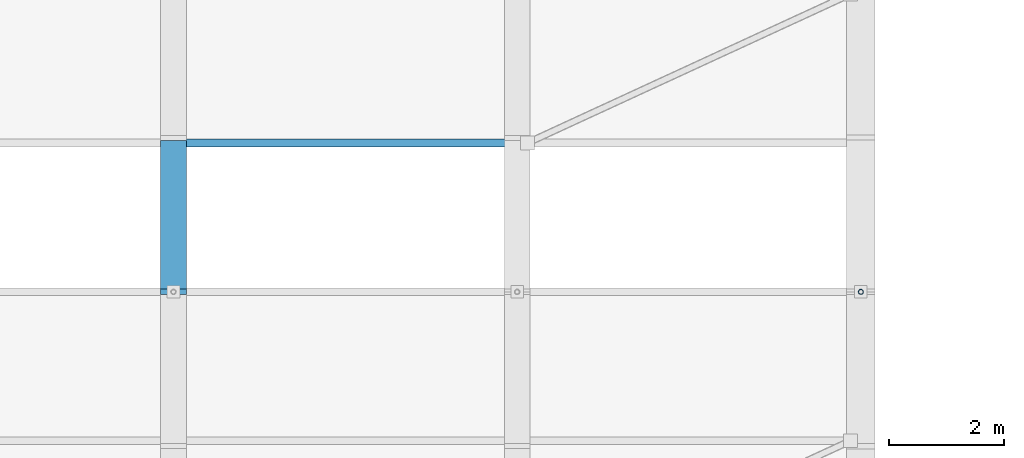
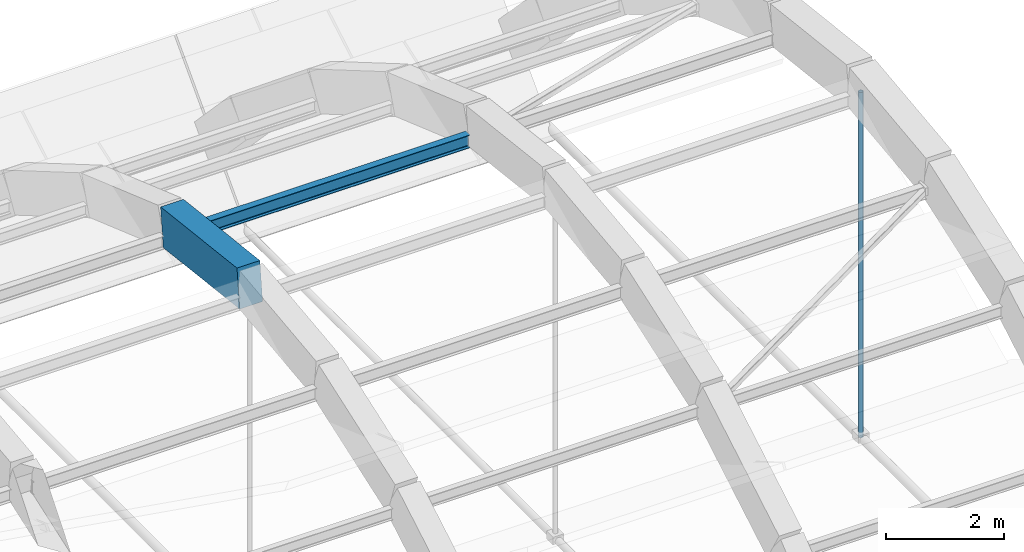
# One storey, part 36 of 123: 2 beams, 1 member.
"""IFC4 building model written with IfcOpenShell, lengths in metres."""

from ifc_helpers import new_model, si_unit, direction, frame, origin, origin_2d, place, context, subcontext, project, spatial, rectangle, hollow_circle, i_section, extrude, material, material_profile, profile_set, type_object, element, save


model = new_model("IFC4")

# Units and contexts
model_context = context("Model", 3, precision=1e-05, world=origin(), true_north=direction((0.0, 1.0)))
body_context = subcontext(model_context, "Body", "Model", "MODEL_VIEW")
ifc_project = project(units=[si_unit("LENGTHUNIT", "METRE"), si_unit("AREAUNIT", "SQUARE_METRE"), si_unit("VOLUMEUNIT", "CUBIC_METRE"), si_unit("PLANEANGLEUNIT", "RADIAN"), si_unit("MASSUNIT", "GRAM", prefix="KILO"), si_unit("POWERUNIT", "WATT"), si_unit("THERMODYNAMICTEMPERATUREUNIT", "KELVIN")], contexts=[model_context])

# Site, building, storey
site_placement = place(None, origin())
site = spatial("IfcSite", under=ifc_project, at=site_placement, CompositionType="ELEMENT")
building_placement = place(site_placement, origin())
building = spatial("IfcBuilding", under=site, at=building_placement, Name="Ruvembo Vaulted Housing Court", CompositionType="ELEMENT")
storey_placement = place(building_placement, frame((0.0, 0.0, 7.699951171875)))
storey = spatial("IfcBuildingStorey", under=building, at=storey_placement, Name="L02", CompositionType="ELEMENT", Elevation=7.699951171875)

# Beams
ifc_material_1 = material(Name="Concrete C35/45", Category="concrete")
ifc_material_profile_1 = material_profile(ifc_material_1, rectangle(XDim=0.449951171875, YDim=0.800048828125, at=origin_2d()), Name="RC 450x800")
ifc_profile_set_1 = profile_set([ifc_material_profile_1], Name="Concrete C35/45")
beam_type_1 = type_object("IfcBeamType", Name="AR-RC-450x800", PredefinedType="BEAM", material=ifc_profile_set_1)
beam_1_placement = place(storey_placement, frame((96.0, 55.0, 6.10009765625), z_axis=(0.0, 0.993236276414, -0.116110719637), x_axis=(-1.0, 0.0, 0.0)))
element("IfcBeam", 1, at=beam_1_placement, inside=storey, type_object=beam_type_1, Name="Community Hall Parabolic Arch Rib AR-06 Seg 6", PredefinedType="BEAM", context=body_context, shape_type="SweptSolid", body=[
    extrude(rectangle(XDim=0.449951171875, YDim=0.800048828125, at=origin_2d()), origin(), (0.0, 0.0, 1.0), 2.617919921875),
])
ifc_material_2 = material(Name="Steel S355J2", Category="steel")
ifc_material_profile_2 = material_profile(ifc_material_2, i_section(OverallWidth=0.135009765625, OverallDepth=0.27001953125, WebThickness=0.006591796875, FlangeThickness=0.01025390625, FilletRadius=0.014892578125, at=origin_2d()), Name="IPE 270")
ifc_profile_set_2 = profile_set([ifc_material_profile_2], Name="Steel S355J2")
beam_type_2 = type_object("IfcBeamType", Name="BM-ST-IPE270", PredefinedType="BEAM", material=ifc_profile_set_2)
beam_2_placement = place(storey_placement, frame((96.2099609375, 57.60009765625, 5.51611328125), z_axis=(1.0, 0.0, 0.0), x_axis=(0.0, 1.0, 0.0)))
element("IfcBeam", 2, at=beam_2_placement, inside=storey, type_object=beam_type_2, Name="Vault Bay 6 Steel Purlin K6", PredefinedType="BEAM", context=body_context, shape_type="SweptSolid", body=[
    extrude(i_section(OverallWidth=0.135009765625, OverallDepth=0.27001953125, WebThickness=0.006591796875, FlangeThickness=0.01025390625, FilletRadius=0.014892578125, at=origin_2d()), origin(), (0.0, 0.0, 1.0), 5.580078125),
])

# Member
ifc_material_profile_3 = material_profile(ifc_material_2, hollow_circle(Radius=0.04443359375, WallThickness=0.0048828125, at=origin_2d()), Name="CHS 88.9x5")
ifc_profile_set_3 = profile_set([ifc_material_profile_3], Name="Steel S355J2")
member_type = type_object("IfcMemberType", Name="MEM-HGR-CHS89", PredefinedType="STRUT", material=ifc_profile_set_3)
member_placement = place(storey_placement, frame((108.0, 55.0, -1.25), z_axis=(0.0, 0.0, 1.0), x_axis=(1.0, 0.0, 0.0)))
element("IfcMember", 3, at=member_placement, inside=storey, type_object=member_type, Name="Vault Crown Hanger Rod VH-08", PredefinedType="STRUT", context=body_context, shape_type="SweptSolid", body=[
    extrude(hollow_circle(Radius=0.04443359375, WallThickness=0.0048828125, at=origin_2d()), origin(), (0.0, 0.0, 1.0), 7.170166015625),
])

save(model, "model.ifc")
